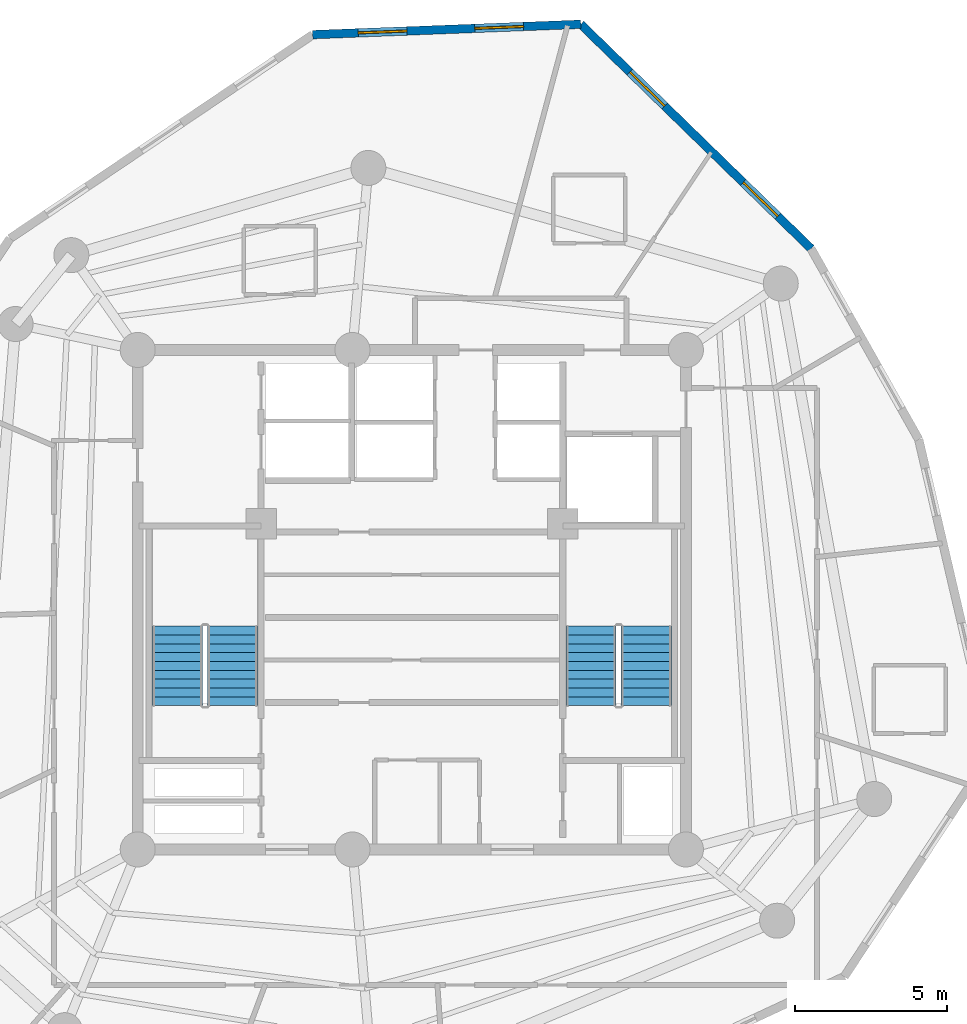
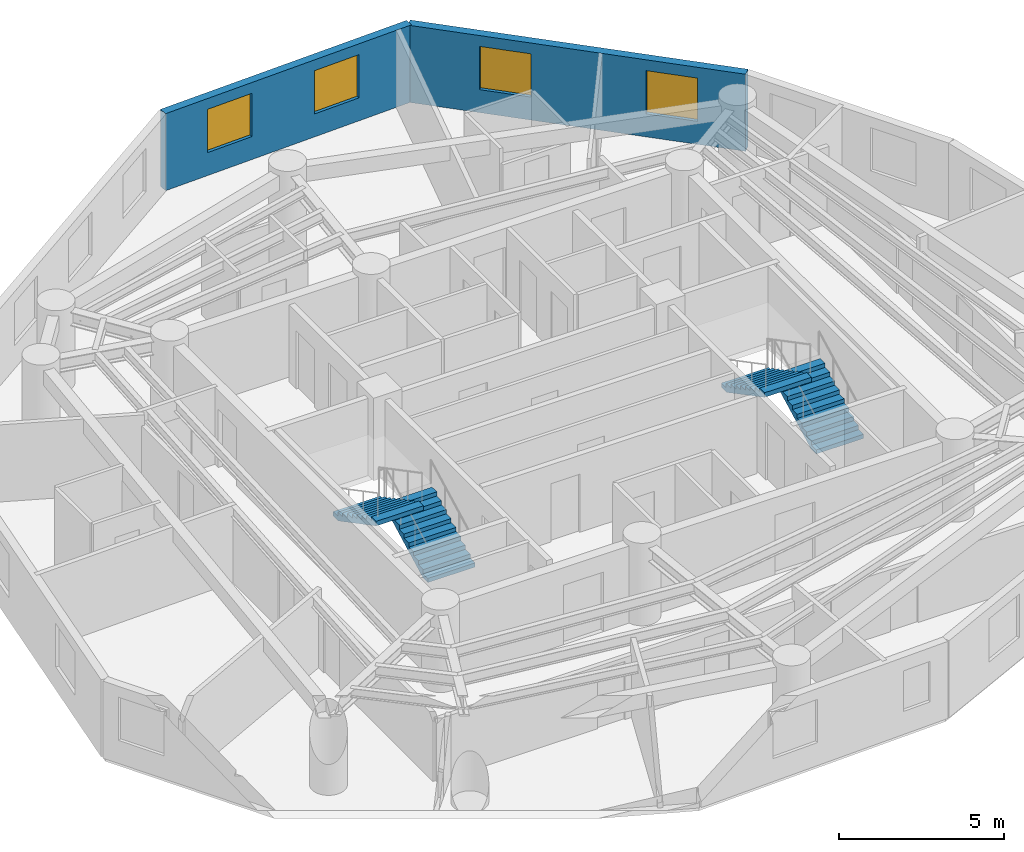
# One storey, part 6 of 7: 4 stair flights, 4 windows, 2 walls, 4 openings, 2 elements without a shape of their own.
"""IFC4 building model written with IfcOpenShell, lengths in metres."""

import ifcopenshell
import ifcopenshell.guid

model = None  # the IFC model being written
_history = None  # IfcOwnerHistory: only IFC2X3 demands one
_inside = {}  # id of a spatial element -> (the spatial element, [elements in it])
_under = {}  # id of a project, library or spatial element -> (it, [spatial elements below it])
_declared = {}  # id of a project -> (the project, [libraries it declares])
_typed = {}  # id of a type object -> (the type object, [elements of that type])
_made_of = {}  # id of a material, layer set ... -> (it, [elements and type objects made of it])


def new_model(schema):
    """Start an empty IFC model of exactly this schema.

    Asked for "IFC4X3", IfcOpenShell would pick the latest addendum, in which some entities
    have other attributes; the version numbers below select the first issue.
    IFC2X3 requires an IfcOwnerHistory on every rooted entity: one is made here for all.
    """
    global model, _history
    if schema == "IFC4X3":
        model = ifcopenshell.file(schema_version=(4, 3, 0, 0))
    else:
        model = ifcopenshell.file(schema=schema)
    _inside.clear()
    _under.clear()
    _declared.clear()
    _typed.clear()
    _made_of.clear()
    _history = None
    if model.schema == "IFC2X3":
        org = make("IfcOrganization", Name="unknown")
        user = make(
            "IfcPersonAndOrganization",
            ThePerson=make("IfcPerson", FamilyName="unknown"),
            TheOrganization=org,
        )
        app = make(
            "IfcApplication",
            ApplicationDeveloper=org,
            Version="unknown",
            ApplicationFullName="unknown",
            ApplicationIdentifier="unknown",
        )
        _history = make(
            "IfcOwnerHistory",
            OwningUser=user,
            OwningApplication=app,
            ChangeAction="ADDED",
            CreationDate=0,
        )
    return model


def make(cls, **values):
    """One entity of the class cls with the attributes given. An attribute that is None is left unset."""
    return model.create_entity(
        cls, **{name: value for name, value in values.items() if value is not None}
    )


def rooted(cls, **values):
    """An entity with a GlobalId (a new one), such as an element, a storey or a relation."""
    return make(cls, GlobalId=ifcopenshell.guid.new(), OwnerHistory=_history, **values)


def si_unit(unit_type, name, prefix=None):
    """IfcSIUnit, for example si_unit("LENGTHUNIT", "METRE", prefix="MILLI")."""
    return make("IfcSIUnit", UnitType=unit_type, Prefix=prefix, Name=name)


def assignment(units):
    """IfcUnitAssignment: the units of a project."""
    return None if units is None else make("IfcUnitAssignment", Units=units)


def point(xyz):
    """IfcCartesianPoint."""
    return None if xyz is None else make("IfcCartesianPoint", Coordinates=xyz)


def direction(xyz):
    """IfcDirection."""
    return None if xyz is None else make("IfcDirection", DirectionRatios=xyz)


def frame(location, z_axis=None, x_axis=None):
    """IfcAxis2Placement3D, a coordinate frame: its origin and axes. An axis left out is left unset."""
    return make(
        "IfcAxis2Placement3D",
        Location=point(location),
        Axis=direction(z_axis),
        RefDirection=direction(x_axis),
    )


def frame_2d(location, x_axis=None):
    """IfcAxis2Placement2D, a coordinate frame in the plane: its origin and x axis."""
    return make(
        "IfcAxis2Placement2D", Location=point(location), RefDirection=direction(x_axis)
    )


def origin():
    """The frame at (0, 0, 0) with its axes left unset."""
    return frame((0.0, 0.0, 0.0))


def origin_with_axes():
    """The frame at (0, 0, 0) with the z axis (0, 0, 1) and the x axis (1, 0, 0) written out."""
    return frame((0.0, 0.0, 0.0), z_axis=(0.0, 0.0, 1.0), x_axis=(1.0, 0.0, 0.0))


def place(relative_to, where):
    """IfcLocalPlacement: puts the frame where relative to a parent placement (None: the world)."""
    return make(
        "IfcLocalPlacement", PlacementRelTo=relative_to, RelativePlacement=where
    )


def context(
    kind, dimensions, precision=None, world=None, true_north=None, identifier=None
):
    """IfcGeometricRepresentationContext, for example the 3D "Model" context."""
    return make(
        "IfcGeometricRepresentationContext",
        ContextIdentifier=identifier,
        ContextType=kind,
        CoordinateSpaceDimension=dimensions,
        Precision=precision,
        WorldCoordinateSystem=world,
        TrueNorth=true_north,
    )


def subcontext(parent, identifier, kind, view, scale=None):
    """IfcGeometricRepresentationSubContext, for example "Body" below "Model"."""
    return make(
        "IfcGeometricRepresentationSubContext",
        ContextIdentifier=identifier,
        ContextType=kind,
        ParentContext=parent,
        TargetScale=scale,
        TargetView=view,
    )


def project(units=None, contexts=None):
    """IfcProject with its units and contexts."""
    return rooted(
        "IfcProject",
        Name="project",
        RepresentationContexts=contexts,
        UnitsInContext=assignment(units),
    )


def spatial(cls, under=None, at=None, **own):
    """A site, building, storey or space (cls), placed at a placement, below another one or the project."""
    s = rooted(cls, ObjectPlacement=at, **own)
    if under is not None:
        _under.setdefault(under.id(), (under, []))[1].append(s)
    return s


def polyline(points):
    """IfcPolyline through the points."""
    return make("IfcPolyline", Points=[point(p) for p in points])


def profile(cls, at=None, kind="AREA", **sizes):
    """A parametric profile (cls). Its sizes go by their IFC names, for example OverallWidth=200.0."""
    return make(cls, ProfileType=kind, Position=at, **sizes)


def rectangle(**sizes):
    """IfcRectangleProfileDef."""
    return profile("IfcRectangleProfileDef", **sizes)


def outline(outer, holes=None, kind="AREA"):
    """IfcArbitraryClosedProfileDef: a profile drawn as a closed curve; with holes, ...WithVoids."""
    if holes is None:
        return make("IfcArbitraryClosedProfileDef", ProfileType=kind, OuterCurve=outer)
    return make(
        "IfcArbitraryProfileDefWithVoids",
        ProfileType=kind,
        OuterCurve=outer,
        InnerCurves=holes,
    )


def extrude(swept, where, along, depth):
    """IfcExtrudedAreaSolid: the profile swept, set in the frame where, extruded along a direction by depth."""
    return make(
        "IfcExtrudedAreaSolid",
        SweptArea=swept,
        Position=where,
        ExtrudedDirection=direction(along),
        Depth=depth,
    )


def shape(context_of_items, identifier, shape_type, items):
    """IfcShapeRepresentation: the items that make up one representation, for example the "Body"."""
    return make(
        "IfcShapeRepresentation",
        ContextOfItems=context_of_items,
        RepresentationIdentifier=identifier,
        RepresentationType=shape_type,
        Items=items,
    )


def source(mapping_origin, context_of_items, identifier, shape_type, items):
    """IfcRepresentationMap: a shape defined once, which mapped items show again and again."""
    return make(
        "IfcRepresentationMap",
        MappingOrigin=mapping_origin,
        MappedRepresentation=shape(context_of_items, identifier, shape_type, items),
    )


def transform(
    local_origin,
    x_axis=None,
    y_axis=None,
    z_axis=None,
    scale=None,
    scale2=None,
    scale3=None,
    uniform=True,
):
    """IfcCartesianTransformationOperator3D, or its non-uniform kind. x_axis, y_axis, z_axis: its Axis1, 2, 3."""
    if uniform:
        return make(
            "IfcCartesianTransformationOperator3D",
            Axis1=direction(x_axis),
            Axis2=direction(y_axis),
            LocalOrigin=point(local_origin),
            Scale=scale,
            Axis3=direction(z_axis),
        )
    return make(
        "IfcCartesianTransformationOperator3DnonUniform",
        Axis1=direction(x_axis),
        Axis2=direction(y_axis),
        LocalOrigin=point(local_origin),
        Scale=scale,
        Axis3=direction(z_axis),
        Scale2=scale2,
        Scale3=scale3,
    )


def mapped(mapping_source, mapping_target):
    """IfcMappedItem: shows the shape of a source again, moved by a transform."""
    return make(
        "IfcMappedItem", MappingSource=mapping_source, MappingTarget=mapping_target
    )


def material(Name=None, Category=None):
    """IfcMaterial."""
    return make("IfcMaterial", Name=Name, Category=Category)


def layer(
    of_material, thickness, ventilated=None, Name=None, Category=None, Priority=None
):
    """IfcMaterialLayer: one layer of a wall or slab, of a material (None: an air gap)."""
    return make(
        "IfcMaterialLayer",
        Material=of_material,
        LayerThickness=thickness,
        IsVentilated=ventilated,
        Name=Name,
        Category=Category,
        Priority=Priority,
    )


def layer_set(layers, Name=None):
    """IfcMaterialLayerSet."""
    return make("IfcMaterialLayerSet", MaterialLayers=layers, LayerSetName=Name)


def made_of(thing, what):
    """Note that an element or type object is made of a material, layer set ...; save() writes the relation."""
    if what is not None:
        _made_of.setdefault(what.id(), (what, []))[1].append(thing)
    return thing


def type_object(cls, material=None, **own):
    """A type object (cls), such as IfcWallType, which elements share."""
    return made_of(rooted(cls, **own), material)


def element(
    cls,
    number,
    at=None,
    inside=None,
    cuts=None,
    type_object=None,
    material=None,
    context=None,
    identifier="Body",
    shape_type=None,
    held_by="IfcProductDefinitionShape",
    body=None,
    shapes=None,
    **own,
):
    """One element of the class cls, such as IfcWall. Its Tag is "e" and its number.

    at: its placement. inside: the storey or other place that contains it. cuts: it is an
    opening in that element (IfcRelVoidsElement). A single representation is given by context,
    identifier, shape_type and body (its items); several are given by shapes. held_by: the class
    of the entity that holds the representations. save() writes the other relations.
    """
    e = rooted(cls, Tag="e%d" % number, ObjectPlacement=at, **own)
    if body is not None:
        shapes = [shape(context, identifier, shape_type, body)]
    if shapes is not None:
        e.Representation = make(held_by, Representations=shapes)
    if inside is not None:
        _inside.setdefault(inside.id(), (inside, []))[1].append(e)
    if cuts is not None:
        rooted(
            "IfcRelVoidsElement", RelatingBuildingElement=cuts, RelatedOpeningElement=e
        )
    if type_object is not None:
        _typed.setdefault(type_object.id(), (type_object, []))[1].append(e)
    return made_of(e, material)


def fill(opening, filler):
    """IfcRelFillsElement: the door or window that sits in an opening."""
    return rooted(
        "IfcRelFillsElement",
        RelatingOpeningElement=opening,
        RelatedBuildingElement=filler,
    )


def aggregate(whole, parts):
    """IfcRelAggregates: a whole, such as a stair, and the parts it consists of."""
    return rooted("IfcRelAggregates", RelatingObject=whole, RelatedObjects=parts)


def save(model, path):
    """Write the relations noted so far, then the file.

    IfcRelAggregates (storeys below a building ...), IfcRelContainedInSpatialStructure (elements
    in a storey), IfcRelDefinesByType, IfcRelAssociatesMaterial and IfcRelDeclares: one each for
    every whole, place, type object, material and project.
    """
    for whole, parts in _under.values():
        aggregate(whole, parts)
    for where, things in _inside.values():
        rooted(
            "IfcRelContainedInSpatialStructure",
            RelatedElements=things,
            RelatingStructure=where,
        )
    for kind, things in _typed.values():
        rooted("IfcRelDefinesByType", RelatedObjects=things, RelatingType=kind)
    for what, things in _made_of.values():
        rooted("IfcRelAssociatesMaterial", RelatedObjects=things, RelatingMaterial=what)
    for by, libraries in _declared.values():
        rooted("IfcRelDeclares", RelatingContext=by, RelatedDefinitions=libraries)
    model.write(path)


model = new_model("IFC4")

# Units and contexts
model_context = context("Model", 3, precision=1e-05, world=origin(), true_north=direction((0.0, 1.0)))
body_context = subcontext(model_context, "Body", "Model", "MODEL_VIEW")
ifc_project = project(units=[si_unit("LENGTHUNIT", "METRE"), si_unit("AREAUNIT", "SQUARE_METRE"), si_unit("VOLUMEUNIT", "CUBIC_METRE"), si_unit("PLANEANGLEUNIT", "RADIAN"), si_unit("MASSUNIT", "GRAM", prefix="KILO")], contexts=[model_context])

# Site, building, storey
site_placement = place(None, origin())
site = spatial("IfcSite", under=ifc_project, at=site_placement, CompositionType="ELEMENT")
building_placement = place(site_placement, origin())
building = spatial("IfcBuilding", under=site, at=building_placement, Name="Karkom Vertical University and Central Library", CompositionType="ELEMENT")
storey_placement = place(building_placement, frame((0.0, 0.0, 259.60009765625)))
storey = spatial("IfcBuildingStorey", under=building, at=storey_placement, Name="L77", CompositionType="ELEMENT", Elevation=259.60009765625)

# Wall, openings, windows
ifc_material_1 = material(Name="Brick-faced precast concrete C45/55", Category="masonry")
ifc_layer = layer(ifc_material_1, 0.280029296875)
ifc_layer_set = layer_set([ifc_layer], Name="Brick-faced precast concrete C45/55")
wall_type = type_object("IfcWallType", Name="ENV-WL-BRK-280", PredefinedType="SOLIDWALL", material=ifc_layer_set)
wall_1_placement = place(storey_placement, frame((41.608154296875, 38.02978515625, 0.0), z_axis=(0.0, 0.0, 1.0), x_axis=(-0.716355866759, 0.697735101712, 0.0)))
wall_1 = element("IfcWall", 1, at=wall_1_placement, inside=storey, type_object=wall_type, Name="Level 77 Brick-Faced Precast Facade Wall 08", PredefinedType="SOLIDWALL", context=body_context, shape_type="SweptSolid", body=[
    extrude(rectangle(XDim=10.554443359375, YDim=0.280029296875, at=frame_2d((5.27734375, 0.0))), origin(), (0.0, 0.0, 1.0), 2.849853515625),
])
opening_1_placement = place(wall_1_placement, frame((1.513916015625, 0.0, 0.85009765625)))
opening_1 = element("IfcOpeningElement", 2, at=opening_1_placement, cuts=wall_1, Name="Opening WN-10", PredefinedType="OPENING", context=body_context, shape_type="SweptSolid", body=[
    extrude(rectangle(XDim=1.60009765625, YDim=1.60009765625, at=frame_2d((0.800048828125, 0.800048828125))), frame((0.0, 0.14990234375, 0.0), z_axis=(0.0, -1.0, 0.0), x_axis=(1.0, 0.0, 0.0)), (0.0, 0.0, 1.0), 0.300048828125),
])
opening_2_placement = place(wall_1_placement, frame((6.711181640625, 0.0, 0.85009765625)))
opening_2 = element("IfcOpeningElement", 3, at=opening_2_placement, cuts=wall_1, Name="Opening WN-10", PredefinedType="OPENING", context=body_context, shape_type="SweptSolid", body=[
    extrude(rectangle(XDim=1.60009765625, YDim=1.60009765625, at=frame_2d((0.800048828125, 0.800048828125))), frame((0.0, 0.14990234375, 0.0), z_axis=(0.0, -1.0, 0.0), x_axis=(1.0, 0.0, 0.0)), (0.0, 0.0, 1.0), 0.300048828125),
])
ifc_material_2 = material(Name="Aluminium thermal-break frame with solar-control IGU", Category="aluminium")
window_type = type_object("IfcWindowType", Name="ENV-WIN-WN-10", PartitioningType="SINGLE_PANEL", PredefinedType="WINDOW", material=ifc_material_2)
shared_shape = source(origin_with_axes(), body_context, "Body", "SweptSolid", [
    extrude(rectangle(XDim=1.60009765625, YDim=1.60009765625, at=frame_2d((0.800048828125, 0.800048828125))), frame((0.0, 0.030029296875, 0.0), z_axis=(0.0, -1.0, 0.0), x_axis=(1.0, 0.0, 0.0)), (0.0, 0.0, 1.0), 0.06005859375),
])
window_1_placement = place(opening_1_placement, origin())
window_1 = element("IfcWindow", 4, at=window_1_placement, inside=storey, type_object=window_type, Name="Level 77 Punched Window 8.1", OverallHeight=1.60009765625, OverallWidth=1.60009765625, PartitioningType="SINGLE_PANEL", PredefinedType="WINDOW", context=body_context, shape_type="MappedRepresentation", body=[
    mapped(shared_shape, transform((0.0, 0.0, 0.0), scale=1.0)),
])
fill(opening_1, window_1)
window_2_placement = place(opening_2_placement, origin())
window_2 = element("IfcWindow", 5, at=window_2_placement, inside=storey, type_object=window_type, Name="Level 77 Punched Window 8.2", OverallHeight=1.60009765625, OverallWidth=1.60009765625, PartitioningType="SINGLE_PANEL", PredefinedType="WINDOW", context=body_context, shape_type="MappedRepresentation", body=[
    mapped(shared_shape, transform((0.0, 0.0, 0.0), scale=1.0)),
])
fill(opening_2, window_2)

wall_2_placement = place(storey_placement, frame((34.04736328125, 45.39404296875, 0.0), z_axis=(0.0, 0.0, 1.0), x_axis=(-0.999250287022, -0.038715163518, 0.0)))
wall_2 = element("IfcWall", 6, at=wall_2_placement, inside=storey, type_object=wall_type, Name="Level 77 Brick-Faced Precast Facade Wall 09", PredefinedType="SOLIDWALL", context=body_context, shape_type="SweptSolid", body=[
    extrude(rectangle(XDim=8.8095703125, YDim=0.280029296875, at=frame_2d((4.40478515625, 0.0))), origin(), (0.0, 0.0, 1.0), 2.849853515625),
])
opening_3_placement = place(wall_2_placement, frame((1.882080078125, 0.0, 0.85009765625)))
opening_3 = element("IfcOpeningElement", 7, at=opening_3_placement, cuts=wall_2, Name="Opening WN-10", PredefinedType="OPENING", context=body_context, shape_type="SweptSolid", body=[
    extrude(rectangle(XDim=1.60009765625, YDim=1.60009765625, at=frame_2d((0.800048828125, 0.800048828125))), frame((0.0, 0.14990234375, 0.0), z_axis=(0.0, -1.0, 0.0), x_axis=(1.0, 0.0, 0.0)), (0.0, 0.0, 1.0), 0.300048828125),
])
opening_4_placement = place(wall_2_placement, frame((5.7138671875, 0.0, 0.85009765625)))
opening_4 = element("IfcOpeningElement", 8, at=opening_4_placement, cuts=wall_2, Name="Opening WN-10", PredefinedType="OPENING", context=body_context, shape_type="SweptSolid", body=[
    extrude(rectangle(XDim=1.60009765625, YDim=1.60009765625, at=frame_2d((0.800048828125, 0.800048828125))), frame((0.0, 0.14990234375, 0.0), z_axis=(0.0, -1.0, 0.0), x_axis=(1.0, 0.0, 0.0)), (0.0, 0.0, 1.0), 0.300048828125),
])
window_3_placement = place(opening_3_placement, origin())
window_3 = element("IfcWindow", 9, at=window_3_placement, inside=storey, type_object=window_type, Name="Level 77 Punched Window 9.1", OverallHeight=1.60009765625, OverallWidth=1.60009765625, PartitioningType="SINGLE_PANEL", PredefinedType="WINDOW", context=body_context, shape_type="MappedRepresentation", body=[
    mapped(shared_shape, transform((0.0, 0.0, 0.0), scale=1.0)),
])
fill(opening_3, window_3)
window_4_placement = place(opening_4_placement, origin())
window_4 = element("IfcWindow", 10, at=window_4_placement, inside=storey, type_object=window_type, Name="Level 77 Punched Window 9.2", OverallHeight=1.60009765625, OverallWidth=1.60009765625, PartitioningType="SINGLE_PANEL", PredefinedType="WINDOW", context=body_context, shape_type="MappedRepresentation", body=[
    mapped(shared_shape, transform((0.0, 0.0, 0.0), scale=1.0)),
])
fill(opening_4, window_4)

# Stair, stair flights
ifc_material_3 = material(Name="Concrete C45/55", Category="concrete")
stair_type = type_object("IfcStairType", Name="INT-STR-ST-MAIN", PredefinedType="HALF_TURN_STAIR", material=ifc_material_3)
stair_1_placement = place(storey_placement, origin())
stair_1 = element("IfcStair", 11, at=stair_1_placement, inside=storey, type_object=stair_type, Name="Level 77 Tower Protected Exit Stair ST-1", PredefinedType="HALF_TURN_STAIR")
stair_flight_type = type_object("IfcStairFlightType", Name="INT-SFL-ST-MAIN", PredefinedType="STRAIGHT", material=ifc_material_3)
stair_flight_1_placement = place(storey_placement, frame((22.614990234375, 23.02001953125, 0.0), z_axis=(0.0, 0.0, 1.0), x_axis=(0.0, 1.0, 0.0)))
stair_flight_1 = element("IfcStairFlight", 12, at=stair_flight_1_placement, type_object=stair_flight_type, Name="ST-1 flight 1", NumberOfRisers=10, NumberOfTreads=9, PredefinedType="STRAIGHT", RiserHeight=0.1525, TreadLength=0.29, context=body_context, shape_type="SweptSolid", body=[
    extrude(outline(polyline([(0.0, 0.0), (0.0, 0.152587890625), (0.2900390625, 0.152587890625), (0.2900390625, 0.304931640625), (0.580078125, 0.304931640625), (0.580078125, 0.45751953125), (0.8701171875, 0.45751953125), (0.8701171875, 0.610107421875), (1.159912109375, 0.610107421875), (1.159912109375, 0.762451171875), (1.449951171875, 0.762451171875), (1.449951171875, 0.9150390625), (1.739990234375, 0.9150390625), (1.739990234375, 1.0673828125), (2.030029296875, 1.0673828125), (2.030029296875, 1.219970703125), (2.320068359375, 1.219970703125), (2.320068359375, 1.37255859375), (2.610107421875, 1.37255859375), (2.610107421875, 1.52490234375), (2.610107421875, 1.203125), (0.322021484375, 0.0), (0.0, 0.0)])), frame((0.0, 0.824951171875, 0.0), z_axis=(0.0, -1.0, 0.0), x_axis=(1.0, 0.0, 0.0)), (0.0, 0.0, 1.0), 1.64990234375),
])
stair_flight_2_placement = place(storey_placement, frame((20.804931640625, 25.6298828125, 1.52490234375), z_axis=(0.0, 0.0, 1.0), x_axis=(0.0, -1.0, 0.0)))
stair_flight_2 = element("IfcStairFlight", 13, at=stair_flight_2_placement, type_object=stair_flight_type, Name="ST-1 flight 2", NumberOfRisers=10, NumberOfTreads=9, PredefinedType="STRAIGHT", RiserHeight=0.1525, TreadLength=0.29, context=body_context, shape_type="SweptSolid", body=[
    extrude(outline(polyline([(0.0, 0.0), (0.0, 0.152587890625), (0.2900390625, 0.152587890625), (0.2900390625, 0.304931640625), (0.580078125, 0.304931640625), (0.580078125, 0.45751953125), (0.8701171875, 0.45751953125), (0.8701171875, 0.610107421875), (1.159912109375, 0.610107421875), (1.159912109375, 0.762451171875), (1.449951171875, 0.762451171875), (1.449951171875, 0.9150390625), (1.739990234375, 0.9150390625), (1.739990234375, 1.0673828125), (2.030029296875, 1.0673828125), (2.030029296875, 1.219970703125), (2.320068359375, 1.219970703125), (2.320068359375, 1.37255859375), (2.610107421875, 1.37255859375), (2.610107421875, 1.52490234375), (2.610107421875, 1.203125), (0.322021484375, 0.0), (0.0, 0.0)])), frame((0.0, 0.824951171875, 0.0), z_axis=(0.0, -1.0, 0.0), x_axis=(1.0, 0.0, 0.0)), (0.0, 0.0, 1.0), 1.64990234375),
])
aggregate(stair_1, [stair_flight_1, stair_flight_2])

stair_2_placement = place(storey_placement, origin())
stair_2 = element("IfcStair", 14, at=stair_2_placement, inside=storey, type_object=stair_type, Name="Level 77 Tower Protected Exit Stair ST-2", PredefinedType="HALF_TURN_STAIR")
stair_flight_3_placement = place(storey_placement, frame((36.195068359375, 23.02001953125, 0.0), z_axis=(0.0, 0.0, 1.0), x_axis=(0.0, 1.0, 0.0)))
stair_flight_3 = element("IfcStairFlight", 15, at=stair_flight_3_placement, type_object=stair_flight_type, Name="ST-2 flight 1", NumberOfRisers=10, NumberOfTreads=9, PredefinedType="STRAIGHT", RiserHeight=0.1525, TreadLength=0.29, context=body_context, shape_type="SweptSolid", body=[
    extrude(outline(polyline([(0.0, 0.0), (0.0, 0.152587890625), (0.2900390625, 0.152587890625), (0.2900390625, 0.304931640625), (0.580078125, 0.304931640625), (0.580078125, 0.45751953125), (0.8701171875, 0.45751953125), (0.8701171875, 0.610107421875), (1.159912109375, 0.610107421875), (1.159912109375, 0.762451171875), (1.449951171875, 0.762451171875), (1.449951171875, 0.9150390625), (1.739990234375, 0.9150390625), (1.739990234375, 1.0673828125), (2.030029296875, 1.0673828125), (2.030029296875, 1.219970703125), (2.320068359375, 1.219970703125), (2.320068359375, 1.37255859375), (2.610107421875, 1.37255859375), (2.610107421875, 1.52490234375), (2.610107421875, 1.203125), (0.322021484375, 0.0), (0.0, 0.0)])), frame((0.0, 0.824951171875, 0.0), z_axis=(0.0, -1.0, 0.0), x_axis=(1.0, 0.0, 0.0)), (0.0, 0.0, 1.0), 1.64990234375),
])
stair_flight_4_placement = place(storey_placement, frame((34.385009765625, 25.6298828125, 1.52490234375), z_axis=(0.0, 0.0, 1.0), x_axis=(0.0, -1.0, 0.0)))
stair_flight_4 = element("IfcStairFlight", 16, at=stair_flight_4_placement, type_object=stair_flight_type, Name="ST-2 flight 2", NumberOfRisers=10, NumberOfTreads=9, PredefinedType="STRAIGHT", RiserHeight=0.1525, TreadLength=0.29, context=body_context, shape_type="SweptSolid", body=[
    extrude(outline(polyline([(0.0, 0.0), (0.0, 0.152587890625), (0.2900390625, 0.152587890625), (0.2900390625, 0.304931640625), (0.580078125, 0.304931640625), (0.580078125, 0.45751953125), (0.8701171875, 0.45751953125), (0.8701171875, 0.610107421875), (1.159912109375, 0.610107421875), (1.159912109375, 0.762451171875), (1.449951171875, 0.762451171875), (1.449951171875, 0.9150390625), (1.739990234375, 0.9150390625), (1.739990234375, 1.0673828125), (2.030029296875, 1.0673828125), (2.030029296875, 1.219970703125), (2.320068359375, 1.219970703125), (2.320068359375, 1.37255859375), (2.610107421875, 1.37255859375), (2.610107421875, 1.52490234375), (2.610107421875, 1.203125), (0.322021484375, 0.0), (0.0, 0.0)])), frame((0.0, 0.824951171875, 0.0), z_axis=(0.0, -1.0, 0.0), x_axis=(1.0, 0.0, 0.0)), (0.0, 0.0, 1.0), 1.64990234375),
])
aggregate(stair_2, [stair_flight_3, stair_flight_4])

save(model, "model.ifc")
